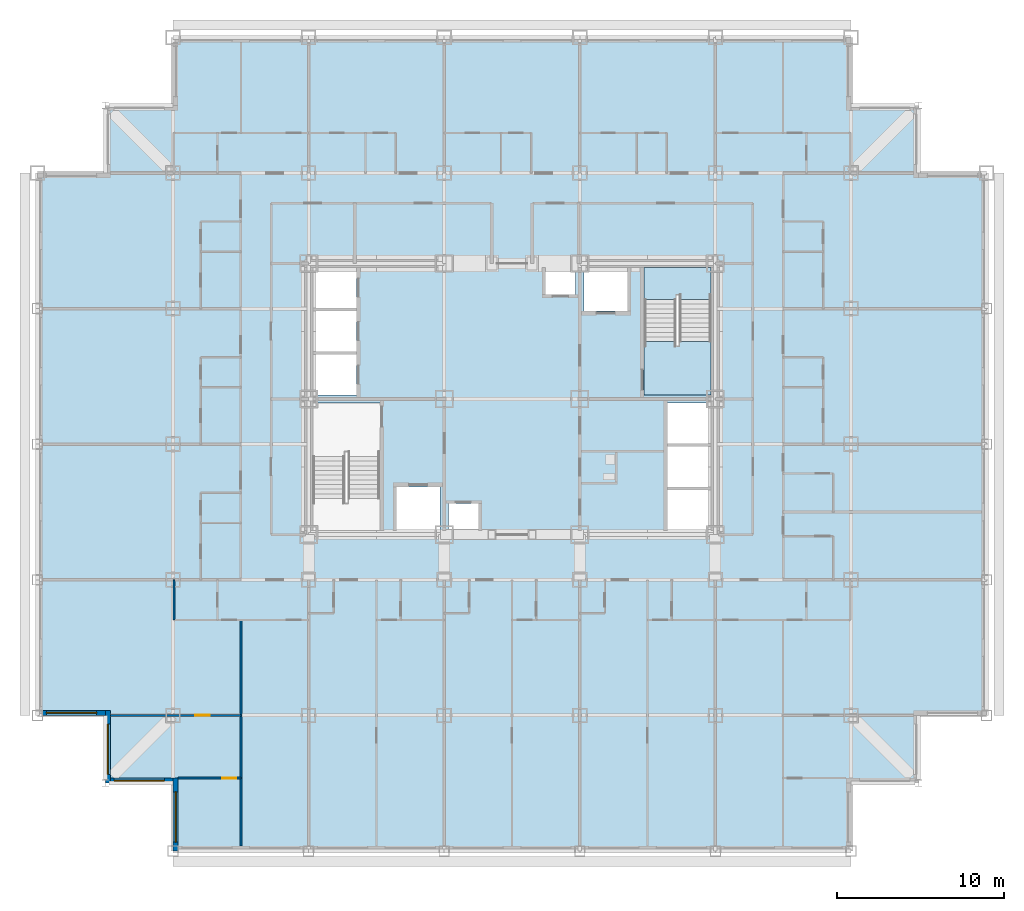
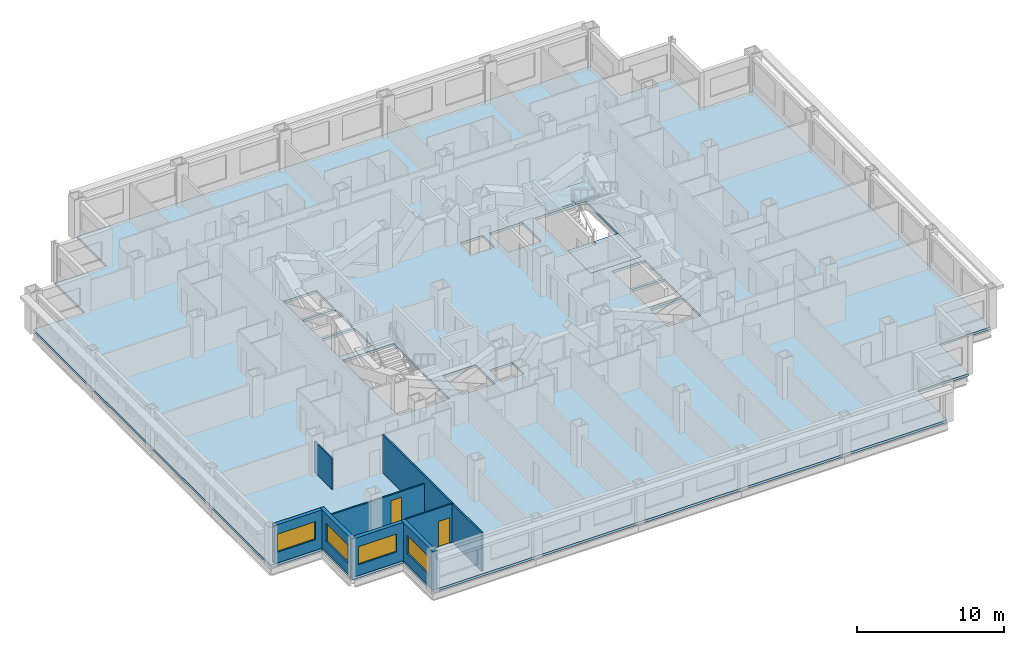
# One storey, part 3 of 13: 8 walls, 4 windows, 3 slabs, 2 doors, 6 openings, 1 element without a shape of its own.
"""IFC4 building model written with IfcOpenShell, lengths in metres."""

from ifc_helpers import new_model, si_unit, direction, frame, frame_2d, origin, place, context, subcontext, project, spatial, polyline, rectangle, outline, extrude, material, layer, layer_set, type_object, element, fill, aggregate, save


model = new_model("IFC4")

# Units and contexts
model_context = context("Model", 3, precision=1e-05, world=origin(), true_north=direction((0.0, 1.0)))
body_context = subcontext(model_context, "Body", "Model", "MODEL_VIEW")
ifc_project = project(units=[si_unit("LENGTHUNIT", "METRE"), si_unit("AREAUNIT", "SQUARE_METRE"), si_unit("VOLUMEUNIT", "CUBIC_METRE"), si_unit("PLANEANGLEUNIT", "RADIAN"), si_unit("MASSUNIT", "GRAM", prefix="KILO")], contexts=[model_context])

# Site, building, storey
site_placement = place(None, origin())
site = spatial("IfcSite", under=ifc_project, at=site_placement, CompositionType="ELEMENT")
building_placement = place(site_placement, origin())
building = spatial("IfcBuilding", under=site, at=building_placement, Name="Kopane Lantern Tower", CompositionType="ELEMENT")
storey_placement = place(building_placement, frame((0.0, 0.0, 110.199951171875)))
storey = spatial("IfcBuildingStorey", under=building, at=storey_placement, Name="L27", CompositionType="ELEMENT", Elevation=110.199951171875)

# Slab
ifc_material_1 = material(Name="Concrete C40/50", Category="concrete")
ifc_layer_1 = layer(ifc_material_1, 0.2099609375)
ifc_layer_set_1 = layer_set([ifc_layer_1], Name="SLAB 210 COMPOSITE")
slab_type_1 = type_object("IfcSlabType", Name="SLAB 210 COMPOSITE", PredefinedType="FLOOR", material=ifc_layer_set_1)
slab_1_placement = place(storey_placement, frame((0.0, 0.0, -0.2099609375)))
element("IfcSlab", 1, at=slab_1_placement, inside=storey, type_object=slab_type_1, Name="Floor slab L27", PredefinedType="FLOOR", context=body_context, shape_type="SweptSolid", body=[
    extrude(outline(polyline([(8.10009765625, 5.39990234375), (48.60009765625, 5.39990234375), (48.60009765625, 9.449951171875), (52.64990234375, 9.449951171875), (52.64990234375, 13.5), (56.699951171875, 13.5), (56.699951171875, 45.89990234375), (52.64990234375, 45.89990234375), (52.64990234375, 49.949951171875), (48.60009765625, 49.949951171875), (48.60009765625, 54.0), (8.10009765625, 54.0), (8.10009765625, 49.949951171875), (4.050048828125, 49.949951171875), (4.050048828125, 45.89990234375), (0.0, 45.89990234375), (0.0, 13.5), (4.050048828125, 13.5), (4.050048828125, 9.449951171875), (8.10009765625, 9.449951171875), (8.10009765625, 5.39990234375)]), holes=[polyline([(16.449951171875, 24.550048828125), (20.449951171875, 24.550048828125), (20.449951171875, 32.14990234375), (16.449951171875, 32.14990234375), (16.449951171875, 24.550048828125)]), polyline([(36.25, 32.64990234375), (40.25, 32.64990234375), (40.25, 40.25), (36.25, 40.25), (36.25, 32.64990234375)]), polyline([(16.449951171875, 32.64990234375), (19.050048828125, 32.64990234375), (19.050048828125, 35.050048828125), (16.449951171875, 35.050048828125), (16.449951171875, 32.64990234375)]), polyline([(16.449951171875, 35.25), (19.050048828125, 35.25), (19.050048828125, 37.64990234375), (16.449951171875, 37.64990234375), (16.449951171875, 35.25)]), polyline([(16.449951171875, 37.85009765625), (19.050048828125, 37.85009765625), (19.050048828125, 40.25), (16.449951171875, 40.25), (16.449951171875, 37.85009765625)]), polyline([(37.64990234375, 24.550048828125), (40.25, 24.550048828125), (40.25, 26.949951171875), (37.64990234375, 26.949951171875), (37.64990234375, 24.550048828125)]), polyline([(37.64990234375, 27.14990234375), (40.25, 27.14990234375), (40.25, 29.550048828125), (37.64990234375, 29.550048828125), (37.64990234375, 27.14990234375)]), polyline([(37.64990234375, 29.75), (40.25, 29.75), (40.25, 32.14990234375), (37.64990234375, 32.14990234375), (37.64990234375, 29.75)]), polyline([(21.449951171875, 24.550048828125), (24.050048828125, 24.550048828125), (24.050048828125, 27.14990234375), (21.449951171875, 27.14990234375), (21.449951171875, 24.550048828125)]), polyline([(32.64990234375, 37.64990234375), (35.25, 37.64990234375), (35.25, 40.25), (32.64990234375, 40.25), (32.64990234375, 37.64990234375)]), polyline([(24.550048828125, 24.550048828125), (26.35009765625, 24.550048828125), (26.35009765625, 26.14990234375), (24.550048828125, 26.14990234375), (24.550048828125, 24.550048828125)]), polyline([(30.35009765625, 38.64990234375), (32.14990234375, 38.64990234375), (32.14990234375, 40.25), (30.35009765625, 40.25), (30.35009765625, 38.64990234375)])]), origin(), (0.0, 0.0, 1.0), 0.2099609375),
])

# Stair, slabs
ifc_material_2 = material(Name="Steel S355JR", Category="steel")
stair_type = type_object("IfcStairType", Name="EXIT STAIR 1900 HALF TURN", PredefinedType="HALF_TURN_STAIR", material=ifc_material_2)
stair_placement = place(storey_placement, origin())
stair = element("IfcStair", 2, at=stair_placement, inside=storey, type_object=stair_type, Name="Exit stair ST2 L27", PredefinedType="HALF_TURN_STAIR")
ifc_material_3 = material(Name="Concrete C40/50", Category="concrete")
ifc_layer_2 = layer(ifc_material_3, 0.199951171875)
ifc_layer_set_2 = layer_set([ifc_layer_2], Name="STAIR LANDING 200")
slab_type_2 = type_object("IfcSlabType", Name="STAIR LANDING 200", PredefinedType="LANDING", material=ifc_layer_set_2)
slab_2_placement = place(storey_placement, frame((0.0, 0.0, -0.199951171875)))
slab_2 = element("IfcSlab", 3, at=slab_2_placement, type_object=slab_type_2, Name="ST2 landing 1", PredefinedType="LANDING", context=body_context, shape_type="SweptSolid", body=[
    extrude(outline(polyline([(40.25, 35.830078125), (38.35009765625, 35.830078125), (38.35009765625, 35.550048828125), (38.14990234375, 35.550048828125), (38.14990234375, 35.830078125), (36.25, 35.830078125), (36.25, 32.64990234375), (40.25, 32.64990234375), (40.25, 35.830078125)])), origin(), (0.0, 0.0, 1.0), 0.199951171875),
])
slab_3_placement = place(storey_placement, frame((0.0, 0.0, 1.5)))
slab_3 = element("IfcSlab", 4, at=slab_3_placement, type_object=slab_type_2, Name="ST2 landing 2", PredefinedType="LANDING", context=body_context, shape_type="SweptSolid", body=[
    extrude(outline(polyline([(38.14990234375, 38.6298828125), (38.35009765625, 38.6298828125), (38.35009765625, 38.35009765625), (40.25, 38.35009765625), (40.25, 40.25), (36.25, 40.25), (36.25, 38.35009765625), (38.14990234375, 38.35009765625), (38.14990234375, 38.6298828125)])), origin(), (0.0, 0.0, 1.0), 0.199951171875),
])
aggregate(stair, [slab_2, slab_3])

# Wall
ifc_material_4 = material(Name="Gypsum board on steel studs", Category="steel")
ifc_layer_3 = layer(ifc_material_4, 0.1201171875)
ifc_layer_set_3 = layer_set([ifc_layer_3], Name="APARTMENT INTERNAL WALL 120")
wall_type_1 = type_object("IfcWallType", Name="APARTMENT INTERNAL WALL 120", PredefinedType="PARTITIONING", material=ifc_layer_set_3)
wall_1_placement = place(storey_placement, frame((12.14990234375, 19.199951171875, 0.0), z_axis=(0.0, 0.0, 1.0), x_axis=(0.0, -1.0, 0.0)))
element("IfcWall", 5, at=wall_1_placement, inside=storey, type_object=wall_type_1, Name="Apartment Internal Wall 120 L27", PredefinedType="PARTITIONING", context=body_context, shape_type="SweptSolid", body=[
    extrude(rectangle(XDim=13.5, YDim=0.1201171875, at=frame_2d((6.75, 0.0))), origin(), (0.0, 0.0, 1.0), 3.18994140625),
])

# Wall, opening, door
wall_2_placement = place(storey_placement, frame((12.14990234375, 13.5, 0.0), z_axis=(0.0, 0.0, 1.0), x_axis=(-1.0, 0.0, 0.0)))
wall_2 = element("IfcWall", 6, at=wall_2_placement, inside=storey, type_object=wall_type_1, Name="Apartment Internal Wall 120 L27", PredefinedType="PARTITIONING", context=body_context, shape_type="SweptSolid", body=[
    extrude(rectangle(XDim=7.7998046875, YDim=0.1201171875, at=frame_2d((3.89990234375, 0.0))), origin(), (0.0, 0.0, 1.0), 2.577880859375),
])
opening_1_placement = place(wall_2_placement, frame((1.875, 0.0, 0.0)))
opening_1 = element("IfcOpeningElement", 7, at=opening_1_placement, cuts=wall_2, Name="Opening L27-053", PredefinedType="OPENING", context=body_context, shape_type="SweptSolid", body=[
    extrude(rectangle(XDim=0.85009765625, YDim=2.10009765625, at=frame_2d((0.425048828125, 1.050048828125))), frame((0.0, 0.070068359375, 0.0), z_axis=(0.0, -1.0, 0.0), x_axis=(1.0, 0.0, 0.0)), (0.0, 0.0, 1.0), 0.14013671875),
])
ifc_material_5 = material(Name="Timber door set", Category="wood")
door_type = type_object("IfcDoorType", Name="DOOR D4 850x2100", OperationType="SINGLE_SWING_LEFT", PredefinedType="DOOR", material=ifc_material_5)
door_1_placement = place(opening_1_placement, origin())
door_1 = element("IfcDoor", 8, at=door_1_placement, inside=storey, type_object=door_type, Name="Door L27-053", OperationType="SINGLE_SWING_LEFT", OverallHeight=2.10009765625, OverallWidth=0.85009765625, PredefinedType="DOOR", context=body_context, shape_type="SweptSolid", body=[
    extrude(rectangle(XDim=0.85009765625, YDim=2.10009765625, at=frame_2d((0.425048828125, 1.050048828125))), frame((0.0, 0.02490234375, 0.0), z_axis=(0.0, -1.0, 0.0), x_axis=(1.0, 0.0, 0.0)), (0.0, 0.0, 1.0), 0.050048828125),
])
fill(opening_1, door_1)

wall_3_placement = place(storey_placement, frame((8.389892578125, 9.75, 0.0), z_axis=(0.0, 0.0, 1.0), x_axis=(1.0, 0.0, 0.0)))
wall_3 = element("IfcWall", 9, at=wall_3_placement, inside=storey, type_object=wall_type_1, Name="Apartment Internal Wall 120 L27", PredefinedType="PARTITIONING", context=body_context, shape_type="SweptSolid", body=[
    extrude(rectangle(XDim=3.760009765625, YDim=0.1201171875, at=frame_2d((1.8798828125, 0.0))), origin(), (0.0, 0.0, 1.0), 3.18994140625),
])
opening_2_placement = place(wall_3_placement, frame((2.635009765625, 0.0, 0.0)))
opening_2 = element("IfcOpeningElement", 10, at=opening_2_placement, cuts=wall_3, Name="Opening L27-070", PredefinedType="OPENING", context=body_context, shape_type="SweptSolid", body=[
    extrude(rectangle(XDim=0.85009765625, YDim=2.10009765625, at=frame_2d((0.425048828125, 1.050048828125))), frame((0.0, 0.070068359375, 0.0), z_axis=(0.0, -1.0, 0.0), x_axis=(1.0, 0.0, 0.0)), (0.0, 0.0, 1.0), 0.14013671875),
])
door_2_placement = place(opening_2_placement, origin())
door_2 = element("IfcDoor", 11, at=door_2_placement, inside=storey, type_object=door_type, Name="Door L27-070", OperationType="SINGLE_SWING_RIGHT", OverallHeight=2.10009765625, OverallWidth=0.85009765625, PredefinedType="DOOR", context=body_context, shape_type="SweptSolid", body=[
    extrude(rectangle(XDim=0.85009765625, YDim=2.10009765625, at=frame_2d((0.425048828125, 1.050048828125))), frame((0.0, 0.02490234375, 0.0), z_axis=(0.0, -1.0, 0.0), x_axis=(1.0, 0.0, 0.0)), (0.0, 0.0, 1.0), 0.050048828125),
])
fill(opening_2, door_2)

# Wall
ifc_material_6 = material(Name="Moisture-resistant board on steel studs", Category="steel")
ifc_layer_4 = layer(ifc_material_6, 0.10009765625)
ifc_layer_set_4 = layer_set([ifc_layer_4], Name="BATHROOM WALL 100")
wall_type_2 = type_object("IfcWallType", Name="BATHROOM WALL 100", PredefinedType="PARTITIONING", material=ifc_layer_set_4)
wall_4_placement = place(storey_placement, frame((8.14990234375, 21.60009765625, 0.0), z_axis=(0.0, 0.0, 1.0), x_axis=(0.0, -1.0, 0.0)))
element("IfcWall", 12, at=wall_4_placement, inside=storey, type_object=wall_type_2, Name="Bathroom Wall 100 L27", PredefinedType="PARTITIONING", context=body_context, shape_type="SweptSolid", body=[
    extrude(rectangle(XDim=2.400146484375, YDim=0.10009765625, at=frame_2d((1.2001953125, 0.0))), origin(), (0.0, 0.0, 1.0), 2.577880859375),
])

# Wall, opening, window
ifc_material_7 = material(Name="Terracotta rainscreen on light steel framing", Category="masonry")
ifc_layer_5 = layer(ifc_material_7, 0.300048828125)
ifc_layer_set_5 = layer_set([ifc_layer_5], Name="EXTERNAL WALL EW1 300 TERRACOTTA")
wall_type_3 = type_object("IfcWallType", Name="EXTERNAL WALL EW1 300 TERRACOTTA", PredefinedType="SOLIDWALL", material=ifc_layer_set_5)
wall_5_placement = place(storey_placement, frame((0.300048828125, 13.64990234375, 0.0), z_axis=(0.0, 0.0, 1.0), x_axis=(1.0, 0.0, 0.0)))
wall_5 = element("IfcWall", 13, at=wall_5_placement, inside=storey, type_object=wall_type_3, Name="External wall S L27", PredefinedType="SOLIDWALL", context=body_context, shape_type="SweptSolid", body=[
    extrude(rectangle(XDim=3.75, YDim=0.300048828125, at=frame_2d((1.875, 0.0))), origin(), (0.0, 0.0, 1.0), 3.18994140625),
])
opening_3_placement = place(wall_5_placement, frame((0.22509765625, 0.0, 0.89990234375)))
opening_3 = element("IfcOpeningElement", 14, at=opening_3_placement, cuts=wall_5, Name="Opening WR300150", PredefinedType="OPENING", context=body_context, shape_type="SweptSolid", body=[
    extrude(rectangle(XDim=3.0, YDim=1.5, at=frame_2d((1.5, 0.75))), frame((0.0, 0.159912109375, 0.0), z_axis=(0.0, -1.0, 0.0), x_axis=(1.0, 0.0, 0.0)), (0.0, 0.0, 1.0), 0.320068359375),
])
ifc_material_8 = material(Name="Aluminium and clear glass", Category="aluminium")
window_type = type_object("IfcWindowType", Name="RIBBON WINDOW WR300150 3000x1500", PartitioningType="SINGLE_PANEL", PredefinedType="WINDOW", material=ifc_material_8)
window_1_placement = place(opening_3_placement, origin())
window_1 = element("IfcWindow", 15, at=window_1_placement, inside=storey, type_object=window_type, Name="Window S L27", OverallHeight=1.5, OverallWidth=3.0, PartitioningType="SINGLE_PANEL", PredefinedType="WINDOW", context=body_context, shape_type="SweptSolid", body=[
    extrude(rectangle(XDim=3.0, YDim=1.5, at=frame_2d((1.5, 0.75))), frame((0.0, 0.030029296875, 0.0), z_axis=(0.0, -1.0, 0.0), x_axis=(1.0, 0.0, 0.0)), (0.0, 0.0, 1.0), 0.06005859375),
])
fill(opening_3, window_1)

wall_6_placement = place(storey_placement, frame((4.199951171875, 13.800048828125, 0.0), z_axis=(0.0, 0.0, 1.0), x_axis=(0.0, -1.0, 0.0)))
wall_6 = element("IfcWall", 16, at=wall_6_placement, inside=storey, type_object=wall_type_3, Name="External wall W L27", PredefinedType="SOLIDWALL", context=body_context, shape_type="SweptSolid", body=[
    extrude(rectangle(XDim=4.35009765625, YDim=0.300048828125, at=frame_2d((2.175048828125, 0.0))), origin(), (0.0, 0.0, 1.0), 3.18994140625),
])
opening_4_placement = place(wall_6_placement, frame((0.824951171875, 0.0, 0.89990234375)))
opening_4 = element("IfcOpeningElement", 17, at=opening_4_placement, cuts=wall_6, Name="Opening WR300150", PredefinedType="OPENING", context=body_context, shape_type="SweptSolid", body=[
    extrude(rectangle(XDim=3.0, YDim=1.5, at=frame_2d((1.5, 0.75))), frame((0.0, 0.159912109375, 0.0), z_axis=(0.0, -1.0, 0.0), x_axis=(1.0, 0.0, 0.0)), (0.0, 0.0, 1.0), 0.320068359375),
])
window_2_placement = place(opening_4_placement, origin())
window_2 = element("IfcWindow", 18, at=window_2_placement, inside=storey, type_object=window_type, Name="Window W L27", OverallHeight=1.5, OverallWidth=3.0, PartitioningType="SINGLE_PANEL", PredefinedType="WINDOW", context=body_context, shape_type="SweptSolid", body=[
    extrude(rectangle(XDim=3.0, YDim=1.5, at=frame_2d((1.5, 0.75))), frame((0.0, 0.030029296875, 0.0), z_axis=(0.0, -1.0, 0.0), x_axis=(1.0, 0.0, 0.0)), (0.0, 0.0, 1.0), 0.06005859375),
])
fill(opening_4, window_2)

wall_7_placement = place(storey_placement, frame((4.35009765625, 9.60009765625, 0.0), z_axis=(0.0, 0.0, 1.0), x_axis=(1.0, 0.0, 0.0)))
wall_7 = element("IfcWall", 19, at=wall_7_placement, inside=storey, type_object=wall_type_3, Name="External wall S L27", PredefinedType="SOLIDWALL", context=body_context, shape_type="SweptSolid", body=[
    extrude(rectangle(XDim=3.75, YDim=0.300048828125, at=frame_2d((1.875, 0.0))), origin(), (0.0, 0.0, 1.0), 3.18994140625),
])
opening_5_placement = place(wall_7_placement, frame((0.22509765625, 0.0, 0.89990234375)))
opening_5 = element("IfcOpeningElement", 20, at=opening_5_placement, cuts=wall_7, Name="Opening WR300150", PredefinedType="OPENING", context=body_context, shape_type="SweptSolid", body=[
    extrude(rectangle(XDim=3.0, YDim=1.5, at=frame_2d((1.5, 0.75))), frame((0.0, 0.159912109375, 0.0), z_axis=(0.0, -1.0, 0.0), x_axis=(1.0, 0.0, 0.0)), (0.0, 0.0, 1.0), 0.320068359375),
])
window_3_placement = place(opening_5_placement, origin())
window_3 = element("IfcWindow", 21, at=window_3_placement, inside=storey, type_object=window_type, Name="Window S L27", OverallHeight=1.5, OverallWidth=3.0, PartitioningType="SINGLE_PANEL", PredefinedType="WINDOW", context=body_context, shape_type="SweptSolid", body=[
    extrude(rectangle(XDim=3.0, YDim=1.5, at=frame_2d((1.5, 0.75))), frame((0.0, 0.030029296875, 0.0), z_axis=(0.0, -1.0, 0.0), x_axis=(1.0, 0.0, 0.0)), (0.0, 0.0, 1.0), 0.06005859375),
])
fill(opening_5, window_3)

wall_8_placement = place(storey_placement, frame((8.25, 9.75, 0.0), z_axis=(0.0, 0.0, 1.0), x_axis=(0.0, -1.0, 0.0)))
wall_8 = element("IfcWall", 22, at=wall_8_placement, inside=storey, type_object=wall_type_3, Name="External wall W L27", PredefinedType="SOLIDWALL", context=body_context, shape_type="SweptSolid", body=[
    extrude(rectangle(XDim=4.35009765625, YDim=0.300048828125, at=frame_2d((2.175048828125, 0.0))), origin(), (0.0, 0.0, 1.0), 3.18994140625),
])
opening_6_placement = place(wall_8_placement, frame((0.824951171875, 0.0, 0.89990234375)))
opening_6 = element("IfcOpeningElement", 23, at=opening_6_placement, cuts=wall_8, Name="Opening WR300150", PredefinedType="OPENING", context=body_context, shape_type="SweptSolid", body=[
    extrude(rectangle(XDim=3.0, YDim=1.5, at=frame_2d((1.5, 0.75))), frame((0.0, 0.159912109375, 0.0), z_axis=(0.0, -1.0, 0.0), x_axis=(1.0, 0.0, 0.0)), (0.0, 0.0, 1.0), 0.320068359375),
])
window_4_placement = place(opening_6_placement, origin())
window_4 = element("IfcWindow", 24, at=window_4_placement, inside=storey, type_object=window_type, Name="Window W L27", OverallHeight=1.5, OverallWidth=3.0, PartitioningType="SINGLE_PANEL", PredefinedType="WINDOW", context=body_context, shape_type="SweptSolid", body=[
    extrude(rectangle(XDim=3.0, YDim=1.5, at=frame_2d((1.5, 0.75))), frame((0.0, 0.030029296875, 0.0), z_axis=(0.0, -1.0, 0.0), x_axis=(1.0, 0.0, 0.0)), (0.0, 0.0, 1.0), 0.06005859375),
])
fill(opening_6, window_4)

save(model, "model.ifc")
